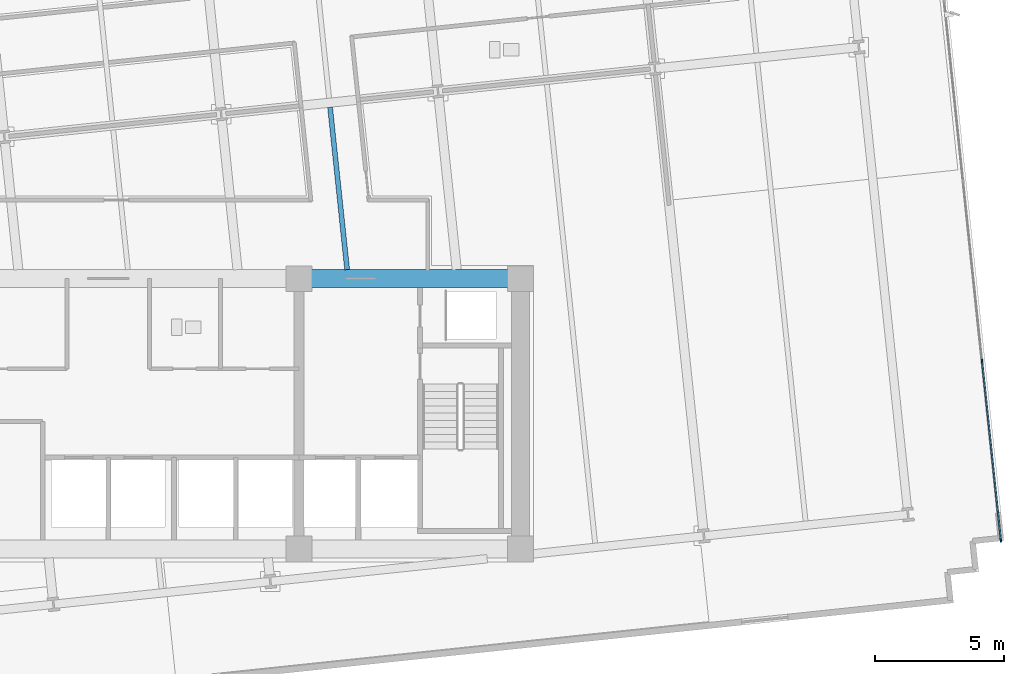
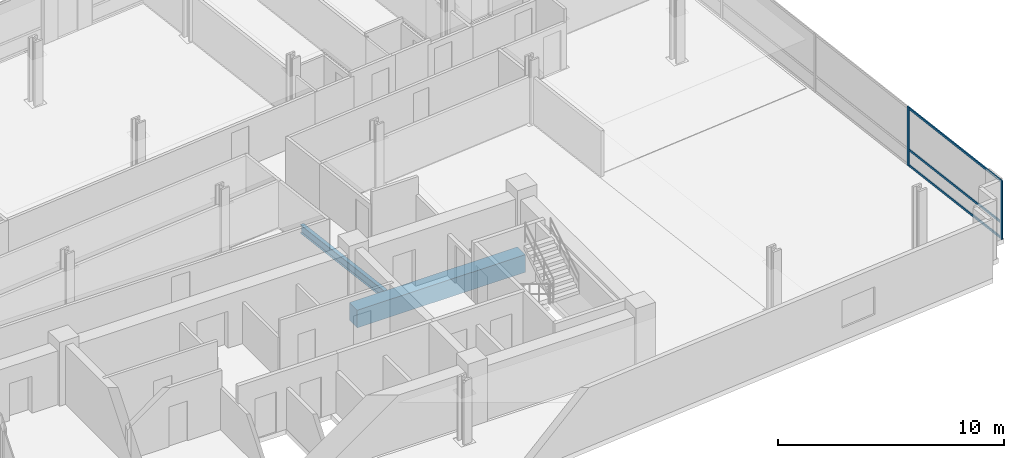
# One storey, part 6 of 21: 5 members, 2 beams, 1 element without a shape of its own.
"""IFC4 building model written with IfcOpenShell, lengths in metres."""

from ifc_helpers import new_model, si_unit, direction, frame, origin, origin_2d, place, context, subcontext, project, spatial, rectangle, i_section, extrude, material, material_profile, profile_set, type_object, element, aggregate, save


model = new_model("IFC4")

# Units and contexts
model_context = context("Model", 3, precision=1e-05, world=origin(), true_north=direction((0.0, 1.0)))
body_context = subcontext(model_context, "Body", "Model", "MODEL_VIEW")
ifc_project = project(units=[si_unit("LENGTHUNIT", "METRE"), si_unit("AREAUNIT", "SQUARE_METRE"), si_unit("VOLUMEUNIT", "CUBIC_METRE"), si_unit("PLANEANGLEUNIT", "RADIAN"), si_unit("MASSUNIT", "GRAM", prefix="KILO")], contexts=[model_context])

# Site, building, storey
site_placement = place(None, origin())
site = spatial("IfcSite", under=ifc_project, at=site_placement, CompositionType="ELEMENT")
building_placement = place(site_placement, origin())
building = spatial("IfcBuilding", under=site, at=building_placement, Name="Solmavex Isthmus Hotel", CompositionType="ELEMENT")
storey_placement = place(building_placement, frame((0.0, 0.0, 113.25)))
storey = spatial("IfcBuildingStorey", under=building, at=storey_placement, Name="L30", CompositionType="ELEMENT", Elevation=113.25)

# Beams
ifc_material_1 = material(Name="Steel ASTM A992 Grade 50", Category="steel")
ifc_material_profile_1 = material_profile(ifc_material_1, i_section(OverallWidth=0.1904296875, OverallDepth=0.456787109375, WebThickness=0.009033203125, FlangeThickness=0.014404296875, FilletRadius=0.0126953125, at=origin_2d()), Name="W18X50")
ifc_profile_set_1 = profile_set([ifc_material_profile_1], Name="Steel ASTM A992 Grade 50")
beam_type_1 = type_object("IfcBeamType", Name="BM-BJ-W18X50", PredefinedType="JOIST", material=ifc_profile_set_1)
beam_1_placement = place(storey_placement, frame((9.271484375, -2.14990234375, -0.488525390625), z_axis=(-0.104524400071, 0.994522322419, 0.0), x_axis=(-0.994522322419, -0.104524400071, 0.0)))
element("IfcBeam", 1, at=beam_1_placement, inside=storey, type_object=beam_type_1, Name="Secondary Floor Joist L30-J13", PredefinedType="JOIST", context=body_context, shape_type="SweptSolid", body=[
    extrude(i_section(OverallWidth=0.1904296875, OverallDepth=0.456787109375, WebThickness=0.009033203125, FlangeThickness=0.014404296875, FilletRadius=0.0126953125, at=origin_2d()), origin(), (0.0, 0.0, 1.0), 6.339111328125),
])
ifc_material_2 = material(Name="Concrete C60/75", Category="concrete")
ifc_material_profile_2 = material_profile(ifc_material_2, rectangle(XDim=0.699951171875, YDim=0.949951171875, at=origin_2d()), Name="RC700X950")
ifc_profile_set_2 = profile_set([ifc_material_profile_2], Name="Concrete C60/75")
beam_type_2 = type_object("IfcBeamType", Name="BM-CB-700X950", PredefinedType="BEAM", material=ifc_profile_set_2)
beam_2_placement = place(storey_placement, frame((7.39990234375, -2.5, -0.735107421875), z_axis=(1.0, 0.0, 0.0), x_axis=(0.0, 1.0, 0.0)))
element("IfcBeam", 2, at=beam_2_placement, inside=storey, type_object=beam_type_2, Name="Core Coupling Beam L30-CB6", PredefinedType="BEAM", context=body_context, shape_type="SweptSolid", body=[
    extrude(rectangle(XDim=0.699951171875, YDim=0.949951171875, at=origin_2d()), origin(), (0.0, 0.0, 1.0), 8.60009765625),
])

# Curtain wall, members
ifc_material_3 = material(Name="Aluminium alloy 6063-T6", Category="aluminium")
curtain_wall_type = type_object("IfcCurtainWallType", Name="CW-SYS-06", PredefinedType="NOTDEFINED", material=ifc_material_3)
curtain_wall_placement = place(storey_placement, origin())
curtain_wall = element("IfcCurtainWall", 3, at=curtain_wall_placement, inside=storey, type_object=curtain_wall_type, Name="Stick Curtain Wall CWL-L30-E1", PredefinedType="NOTDEFINED")
ifc_material_profile_3 = material_profile(ifc_material_3, rectangle(XDim=0.06005859375, YDim=0.139892578125, at=origin_2d()), Name="CWM-60X140")
ifc_profile_set_3 = profile_set([ifc_material_profile_3], Name="Aluminium alloy 6063-T6")
member_type_1 = type_object("IfcMemberType", Name="CW-SYS-06-MUL", PredefinedType="MULLION", material=ifc_profile_set_3)
member_1_placement = place(storey_placement, frame((34.65576171875, -12.657470703125, 0.0), z_axis=(0.0, 0.0, 1.0), x_axis=(-0.994521893044, -0.104528485381, 0.0)))
member_1 = element("IfcMember", 4, at=member_1_placement, type_object=member_type_1, Name="CW-06 mullion 1", PredefinedType="MULLION", context=body_context, shape_type="SweptSolid", body=[
    extrude(rectangle(XDim=0.06005859375, YDim=0.139892578125, at=origin_2d()), origin(), (0.0, 0.0, 1.0), 3.18994140625),
])
member_2_placement = place(storey_placement, frame((33.92529296875, -5.705810546875, 0.0), z_axis=(0.0, 0.0, 1.0), x_axis=(-0.994521893044, -0.104528485381, 0.0)))
member_2 = element("IfcMember", 5, at=member_2_placement, type_object=member_type_1, Name="CW-06 mullion 2", PredefinedType="MULLION", context=body_context, shape_type="SweptSolid", body=[
    extrude(rectangle(XDim=0.06005859375, YDim=0.139892578125, at=origin_2d()), origin(), (0.0, 0.0, 1.0), 3.18994140625),
])
ifc_material_profile_4 = material_profile(ifc_material_3, rectangle(XDim=0.06005859375, YDim=0.114990234375, at=origin_2d()), Name="CWT-60X115")
ifc_profile_set_4 = profile_set([ifc_material_profile_4], Name="Aluminium alloy 6063-T6")
member_type_2 = type_object("IfcMemberType", Name="CW-SYS-06-TRN", PredefinedType="USERDEFINED", material=ifc_profile_set_4)
member_3_placement = place(storey_placement, frame((34.65283203125, -12.627685546875, 0.0576171875), z_axis=(-0.10452523802, 0.99452223435, 0.0), x_axis=(-0.99452223435, -0.10452523802, 0.0)))
member_3 = element("IfcMember", 6, at=member_3_placement, type_object=member_type_2, Name="CW-06 transom 1.1", ObjectType="TRANSOM", PredefinedType="USERDEFINED", context=body_context, shape_type="SweptSolid", body=[
    extrude(rectangle(XDim=0.06005859375, YDim=0.114990234375, at=origin_2d()), origin(), (0.0, 0.0, 1.0), 6.929931640625),
])
member_4_placement = place(storey_placement, frame((34.65283203125, -12.627685546875, 0.89990234375), z_axis=(-0.10452523802, 0.99452223435, 0.0), x_axis=(-0.99452223435, -0.10452523802, 0.0)))
member_4 = element("IfcMember", 7, at=member_4_placement, type_object=member_type_2, Name="CW-06 transom 1.2", ObjectType="TRANSOM", PredefinedType="USERDEFINED", context=body_context, shape_type="SweptSolid", body=[
    extrude(rectangle(XDim=0.06005859375, YDim=0.114990234375, at=origin_2d()), origin(), (0.0, 0.0, 1.0), 6.929931640625),
])
member_5_placement = place(storey_placement, frame((34.65283203125, -12.627685546875, 3.132568359375), z_axis=(-0.10452523802, 0.99452223435, 0.0), x_axis=(-0.99452223435, -0.10452523802, 0.0)))
member_5 = element("IfcMember", 8, at=member_5_placement, type_object=member_type_2, Name="CW-06 transom 1.3", ObjectType="TRANSOM", PredefinedType="USERDEFINED", context=body_context, shape_type="SweptSolid", body=[
    extrude(rectangle(XDim=0.06005859375, YDim=0.114990234375, at=origin_2d()), origin(), (0.0, 0.0, 1.0), 6.929931640625),
])
aggregate(curtain_wall, [member_1, member_2, member_3, member_4, member_5])

save(model, "model.ifc")
